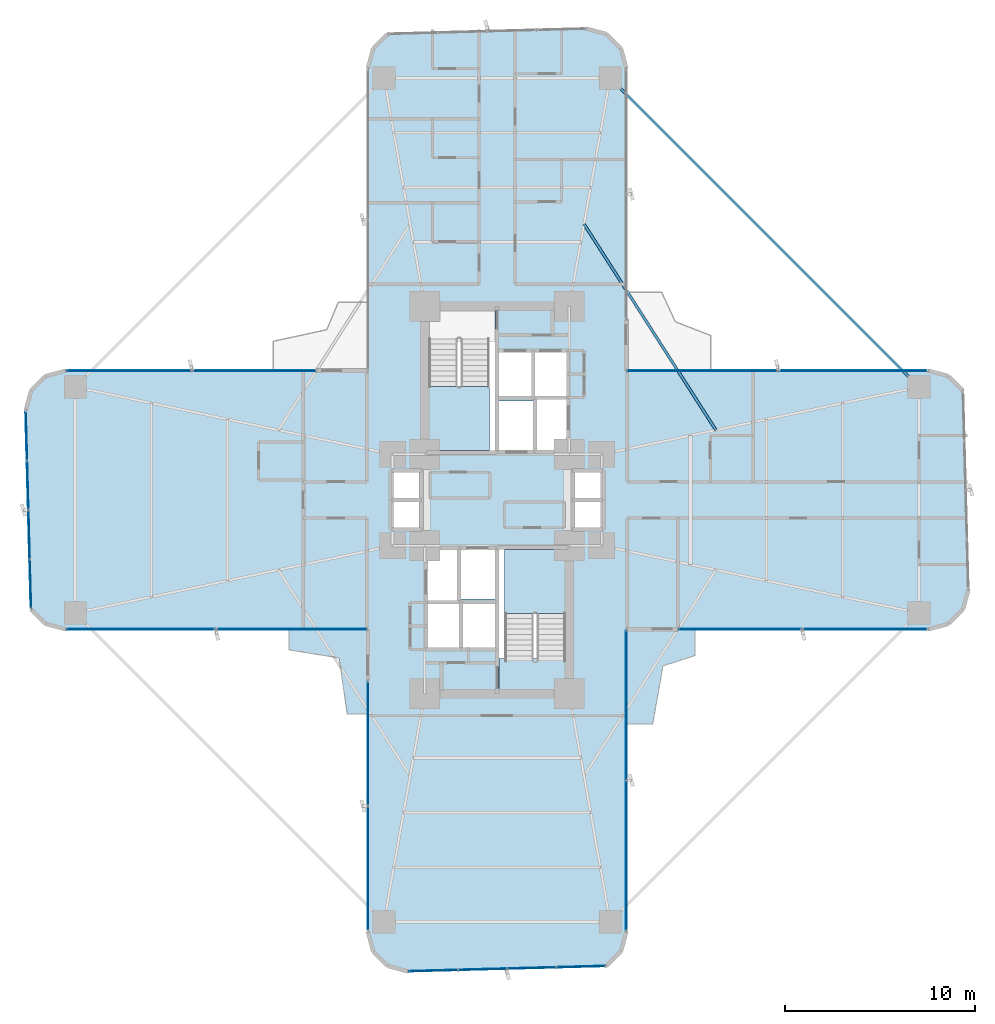
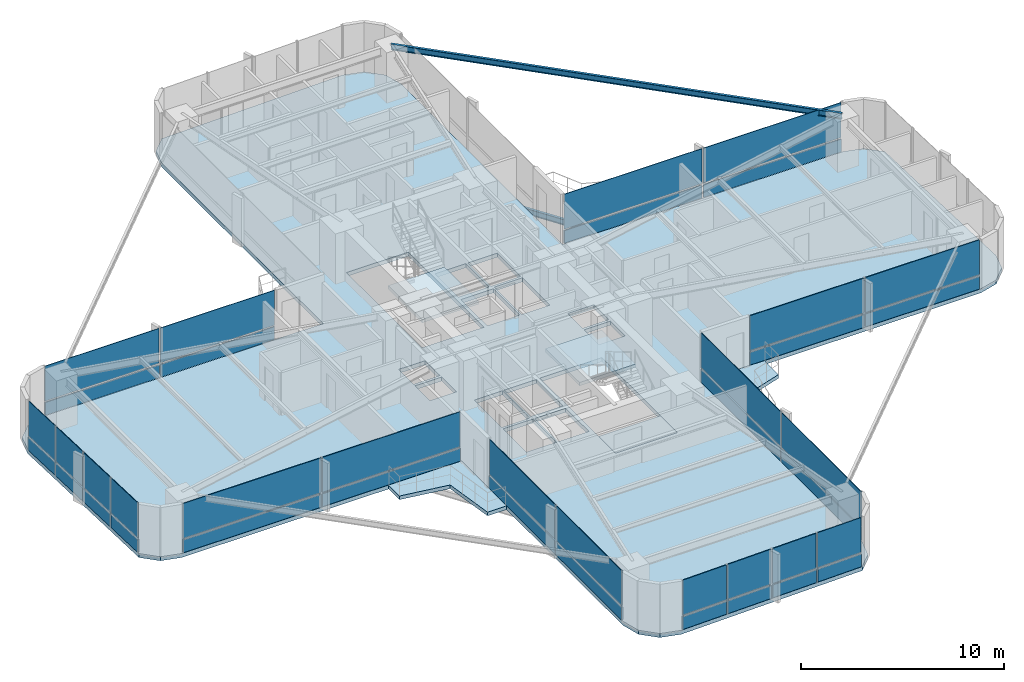
# One storey, part 20 of 25: 40 plates, 6 slabs, 2 beams, 10 elements without a shape of their own.
"""IFC4 building model written with IfcOpenShell, lengths in metres."""

from ifc_helpers import new_model, si_unit, direction, frame, origin, origin_2d, place, context, subcontext, project, spatial, polyline, rectangle, i_section, outline, extrude, source, transform, mapped, material, layer, layer_set, material_profile, profile_set, type_object, element, aggregate, save


model = new_model("IFC4")

# Units and contexts
model_context = context("Model", 3, precision=1e-05, world=origin(), true_north=direction((0.0, 1.0)))
body_context = subcontext(model_context, "Body", "Model", "MODEL_VIEW")
ifc_project = project(units=[si_unit("LENGTHUNIT", "METRE"), si_unit("AREAUNIT", "SQUARE_METRE"), si_unit("VOLUMEUNIT", "CUBIC_METRE"), si_unit("PLANEANGLEUNIT", "RADIAN"), si_unit("MASSUNIT", "GRAM", prefix="KILO")], contexts=[model_context])

# Site, building, storey
site_placement = place(None, origin())
site = spatial("IfcSite", under=ifc_project, at=site_placement, CompositionType="ELEMENT")
building_placement = place(site_placement, origin())
building = spatial("IfcBuilding", under=site, at=building_placement, Name="Sahyath Konkavel Grand Hotel", CompositionType="ELEMENT")
storey_placement = place(building_placement, frame((0.0, 0.0, 71.14990234375)))
storey = spatial("IfcBuildingStorey", under=building, at=storey_placement, Name="L19", CompositionType="ELEMENT", Elevation=71.14990234375)

# Beams
ifc_material_1 = material(Name="Steel E350", Category="steel")
ifc_material_profile_1 = material_profile(ifc_material_1, i_section(OverallWidth=0.139892578125, OverallDepth=0.35009765625, WebThickness=0.008056640625, FlangeThickness=0.01416015625, FilletRadius=0.013916015625, at=origin_2d()), Name="ISMB 350")
ifc_profile_set_1 = profile_set([ifc_material_profile_1], Name="Steel E350")
beam_type_1 = type_object("IfcBeamType", Name="BM-ISMB350", PredefinedType="BEAM", material=ifc_profile_set_1)
shared_shape_1 = source(origin(), body_context, "Body", "SweptSolid", [
    extrude(i_section(OverallWidth=0.139892578125, OverallDepth=0.35009765625, WebThickness=0.008056640625, FlangeThickness=0.01416015625, FilletRadius=0.013916015625, at=origin_2d()), origin(), (0.0, 0.0, 1.0), 22.98095703125),
])
beam_1_placement = place(storey_placement, frame((22.199951171875, 5.949951171875, 2.85498046875), z_axis=(-0.707106781187, 0.707106781187, 0.0), x_axis=(-0.707106781187, -0.707106781187, 0.0)))
element("IfcBeam", 1, at=beam_1_placement, inside=storey, type_object=beam_type_1, Name="L19 Re-Entrant Tie Beam NE", PredefinedType="BEAM", context=body_context, shape_type="MappedRepresentation", body=[
    mapped(shared_shape_1, transform((0.0, 0.0, 0.0), scale=1.0)),
])
ifc_material_profile_2 = material_profile(ifc_material_1, i_section(OverallWidth=0.139892578125, OverallDepth=0.35009765625, WebThickness=0.008056640625, FlangeThickness=0.01416015625, FilletRadius=0.013916015625, at=origin_2d()), Name="ISMB 350")
ifc_profile_set_2 = profile_set([ifc_material_profile_2], Name="Steel E350")
beam_type_2 = type_object("IfcBeamType", Name="BM-BALC-CANT", PredefinedType="BEAM", material=ifc_profile_set_2)
shared_shape_2 = source(origin(), body_context, "Body", "SweptSolid", [
    extrude(i_section(OverallWidth=0.139892578125, OverallDepth=0.35009765625, WebThickness=0.008056640625, FlangeThickness=0.01416015625, FilletRadius=0.013916015625, at=origin_2d()), origin(), (0.0, 0.0, 1.0), 12.871826171875),
])
beam_2_placement = place(storey_placement, frame((11.511962890625, 3.677978515625, -0.414794921875), z_axis=(-0.539003102535, 0.842303778608, 0.0), x_axis=(-0.842303778608, -0.539003102535, 0.0)))
element("IfcBeam", 2, at=beam_2_placement, inside=storey, type_object=beam_type_2, Name="L19 Balcony Cantilever Support Beam NE", PredefinedType="BEAM", context=body_context, shape_type="MappedRepresentation", body=[
    mapped(shared_shape_2, transform((0.0, 0.0, 0.0), scale=1.0)),
])

# Slabs
ifc_material_2 = material(Name="Concrete C40/50", Category="concrete")
ifc_layer_1 = layer(ifc_material_2, 0.239990234375)
ifc_layer_set_1 = layer_set([ifc_layer_1], Name="Concrete C40/50")
slab_type_1 = type_object("IfcSlabType", Name="SLB-240", PredefinedType="FLOOR", material=ifc_layer_set_1)
slab_1_placement = place(storey_placement, frame((0.0, 0.0, -0.239990234375)))
element("IfcSlab", 3, at=slab_1_placement, inside=storey, type_object=slab_type_1, Name="L19 Structural Floor Slab", PredefinedType="FLOOR", context=body_context, shape_type="SweptSolid", body=[
    extrude(outline(polyline([(6.800048828125, -6.800048828125), (22.699951171875, -6.800048828125), (23.75, -6.518798828125), (24.518798828125, -5.75), (24.800048828125, -4.699951171875), (24.518798828125, 5.75), (23.75, 6.518798828125), (22.699951171875, 6.800048828125), (6.800048828125, 6.800048828125), (6.800048828125, 22.699951171875), (6.518798828125, 23.75), (5.75, 24.518798828125), (4.699951171875, 24.800048828125), (-5.75, 24.518798828125), (-6.518798828125, 23.75), (-6.800048828125, 22.699951171875), (-6.800048828125, 6.800048828125), (-22.699951171875, 6.800048828125), (-23.75, 6.518798828125), (-24.518798828125, 5.75), (-24.800048828125, 4.699951171875), (-24.518798828125, -5.75), (-23.75, -6.518798828125), (-22.699951171875, -6.800048828125), (-6.800048828125, -6.800048828125), (-6.800048828125, -22.699951171875), (-6.518798828125, -23.75), (-5.75, -24.518798828125), (-4.699951171875, -24.800048828125), (5.75, -24.518798828125), (6.518798828125, -23.75), (6.800048828125, -22.699951171875), (6.800048828125, -6.800048828125)]), holes=[polyline([(-3.6201171875, 2.580078125), (-0.10009765625, 2.580078125), (-0.10009765625, 10.02001953125), (-3.6201171875, 10.02001953125), (-3.6201171875, 2.580078125)]), polyline([(0.10009765625, -10.02001953125), (3.6201171875, -10.02001953125), (3.6201171875, -2.580078125), (0.10009765625, -2.580078125), (0.10009765625, -10.02001953125)]), polyline([(0.10009765625, 2.60009765625), (1.949951171875, 2.60009765625), (1.949951171875, 5.199951171875), (0.10009765625, 5.199951171875), (0.10009765625, 2.60009765625)]), polyline([(-1.949951171875, -5.199951171875), (-0.10009765625, -5.199951171875), (-0.10009765625, -2.60009765625), (-1.949951171875, -2.60009765625), (-1.949951171875, -5.199951171875)]), polyline([(2.050048828125, 2.60009765625), (3.64990234375, 2.60009765625), (3.64990234375, 5.300048828125), (2.050048828125, 5.300048828125), (2.050048828125, 2.60009765625)]), polyline([(-3.64990234375, -5.300048828125), (-2.050048828125, -5.300048828125), (-2.050048828125, -2.60009765625), (-3.64990234375, -2.60009765625), (-3.64990234375, -5.300048828125)]), polyline([(0.10009765625, 5.449951171875), (1.85009765625, 5.449951171875), (1.85009765625, 7.75), (0.10009765625, 7.75), (0.10009765625, 5.449951171875)]), polyline([(1.949951171875, 5.449951171875), (3.64990234375, 5.449951171875), (3.64990234375, 7.75), (1.949951171875, 7.75), (1.949951171875, 5.449951171875)]), polyline([(-3.64990234375, -7.75), (-1.949951171875, -7.75), (-1.949951171875, -5.449951171875), (-3.64990234375, -5.449951171875), (-3.64990234375, -7.75)]), polyline([(-1.85009765625, -7.75), (-0.10009765625, -7.75), (-0.10009765625, -5.449951171875), (-1.85009765625, -5.449951171875), (-1.85009765625, -7.75)]), polyline([(4.050048828125, 0.080078125), (5.550048828125, 0.080078125), (5.550048828125, 1.5400390625), (4.050048828125, 1.5400390625), (4.050048828125, 0.080078125)]), polyline([(4.050048828125, -1.5400390625), (5.550048828125, -1.5400390625), (5.550048828125, -0.080078125), (4.050048828125, -0.080078125), (4.050048828125, -1.5400390625)]), polyline([(-5.550048828125, 0.080078125), (-4.050048828125, 0.080078125), (-4.050048828125, 1.5400390625), (-5.550048828125, 1.5400390625), (-5.550048828125, 0.080078125)]), polyline([(-5.550048828125, -1.5400390625), (-4.050048828125, -1.5400390625), (-4.050048828125, -0.080078125), (-5.550048828125, -0.080078125), (-5.550048828125, -1.5400390625)])]), origin(), (0.0, 0.0, 1.0), 0.239990234375),
])
ifc_layer_2 = layer(ifc_material_2, 0.219970703125)
ifc_layer_set_2 = layer_set([ifc_layer_2], Name="Concrete C40/50")
slab_type_2 = type_object("IfcSlabType", Name="SLB-BALCONY-220", PredefinedType="FLOOR", material=ifc_layer_set_2)
slab_2_placement = place(storey_placement, frame((0.0, 0.0, -0.219970703125)))
element("IfcSlab", 4, at=slab_2_placement, inside=storey, type_object=slab_type_2, Name="L19 Winter-Garden Balcony SW", PredefinedType="FLOOR", context=body_context, shape_type="SweptSolid", body=[
    extrude(outline(polyline([(-6.800048828125, -6.800048828125), (-10.947021484375, -6.800048828125), (-10.947021484375, -7.889404296875), (-8.31298828125, -8.31298828125), (-7.889404296875, -11.2529296875), (-6.800048828125, -11.2529296875), (-6.800048828125, -6.800048828125)])), origin(), (0.0, 0.0, 1.0), 0.219970703125),
])
slab_3_placement = place(storey_placement, frame((0.0, 0.0, -0.219970703125)))
element("IfcSlab", 5, at=slab_3_placement, inside=storey, type_object=slab_type_2, Name="L19 Winter-Garden Balcony SE", PredefinedType="FLOOR", context=body_context, shape_type="SweptSolid", body=[
    extrude(outline(polyline([(6.800048828125, -6.800048828125), (6.800048828125, -11.782958984375), (8.189697265625, -11.782958984375), (8.72998046875, -8.72998046875), (10.4169921875, -8.189697265625), (10.4169921875, -6.800048828125), (6.800048828125, -6.800048828125)])), origin(), (0.0, 0.0, 1.0), 0.219970703125),
])

# Stair, slab
stair_type = type_object("IfcStairType", Name="STR-ST16-335", PredefinedType="HALF_TURN_STAIR", material=ifc_material_2)
stair_1_placement = place(storey_placement, origin())
stair_1 = element("IfcStair", 6, at=stair_1_placement, inside=storey, type_object=stair_type, Name="L19 North Core Smokeproof Exit Stair ST-1", PredefinedType="HALF_TURN_STAIR")
ifc_layer_3 = layer(ifc_material_2, 0.199951171875)
ifc_layer_set_3 = layer_set([ifc_layer_3], Name="Concrete C40/50")
slab_type_3 = type_object("IfcSlabType", Name="SLB-STAIR-LND", PredefinedType="LANDING", material=ifc_layer_set_3)
slab_4_placement = place(storey_placement, frame((0.0, 0.0, 1.47509765625)))
slab_4 = element("IfcSlab", 7, at=slab_4_placement, type_object=slab_type_3, Name="ST-1 landing 1", PredefinedType="LANDING", context=body_context, shape_type="SweptSolid", body=[
    extrude(outline(polyline([(-3.60009765625, 5.9599609375), (-3.60009765625, 2.60009765625), (-0.39990234375, 2.60009765625), (-0.39990234375, 5.9599609375), (-3.60009765625, 5.9599609375)])), origin(), (0.0, 0.0, 1.0), 0.199951171875),
])
aggregate(stair_1, [slab_4])

stair_2_placement = place(storey_placement, origin())
stair_2 = element("IfcStair", 8, at=stair_2_placement, inside=storey, type_object=stair_type, Name="L19 South Core Smokeproof Exit Stair ST-2", PredefinedType="HALF_TURN_STAIR")
slab_5_placement = place(storey_placement, frame((0.0, 0.0, 1.47509765625)))
slab_5 = element("IfcSlab", 9, at=slab_5_placement, type_object=slab_type_3, Name="ST-2 landing 1", PredefinedType="LANDING", context=body_context, shape_type="SweptSolid", body=[
    extrude(outline(polyline([(3.60009765625, -5.9599609375), (3.60009765625, -2.60009765625), (0.39990234375, -2.60009765625), (0.39990234375, -5.9599609375), (3.60009765625, -5.9599609375)])), origin(), (0.0, 0.0, 1.0), 0.199951171875),
])
aggregate(stair_2, [slab_5])

# Slab
slab_6_placement = place(storey_placement, frame((0.0, 0.0, -0.199951171875)))
element("IfcSlab", 10, at=slab_6_placement, inside=storey, type_object=slab_type_3, Name="L19 Stair ST-2 Floor Landing Slab", PredefinedType="LANDING", context=body_context, shape_type="SweptSolid", body=[
    extrude(outline(polyline([(0.10009765625, -10.02001953125), (3.6201171875, -10.02001953125), (3.6201171875, -8.35009765625), (0.10009765625, -8.35009765625), (0.10009765625, -10.02001953125)])), origin(), (0.0, 0.0, 1.0), 0.199951171875),
])

# Curtain wall, plates
ifc_material_3 = material(Name="Anodised Bronze Aluminium & Low-E Glazing", Category="aluminium")
curtain_wall_type = type_object("IfcCurtainWallType", Name="CW-ZONE1", PredefinedType="NOTDEFINED", material=ifc_material_3)
curtain_wall_1_placement = place(storey_placement, origin())
curtain_wall_1 = element("IfcCurtainWall", 11, at=curtain_wall_1_placement, inside=storey, type_object=curtain_wall_type, Name="L19 Unitised Curtain Wall F7", PredefinedType="NOTDEFINED")
ifc_material_4 = material(Name="Warm Buff Sandstone Cladding", Category="masonry")
ifc_layer_4 = layer(ifc_material_4, 0.074951171875)
ifc_layer_set_4 = layer_set([ifc_layer_4], Name="Warm Buff Sandstone Cladding")
plate_type_1 = type_object("IfcPlateType", Name="PNL-SPANDREL-STONE", PredefinedType="SHEET", material=ifc_layer_set_4)
shared_shape_3 = source(origin(), body_context, "Body", "SweptSolid", [
    extrude(rectangle(XDim=7.830078125, YDim=0.074951171875, at=origin_2d()), origin(), (0.0, 0.0, 1.0), 0.77001953125),
])
plate_1_placement = place(storey_placement, frame((18.705078125, 6.800048828125, 0.0400390625), z_axis=(0.0, 0.0, 1.0), x_axis=(-1.0, 0.0, 0.0)))
plate_1 = element("IfcPlate", 12, at=plate_1_placement, type_object=plate_type_1, Name="L19 Sandstone Relief Spandrel Panel F7-0", PredefinedType="SHEET", context=body_context, shape_type="MappedRepresentation", body=[
    mapped(shared_shape_3, transform((0.0, 0.0, 0.0), scale=1.0)),
])
plate_2_placement = place(storey_placement, frame((10.794921875, 6.800048828125, 0.0400390625), z_axis=(0.0, 0.0, 1.0), x_axis=(-1.0, 0.0, 0.0)))
plate_2 = element("IfcPlate", 13, at=plate_2_placement, type_object=plate_type_1, Name="L19 Sandstone Relief Spandrel Panel F7-1", PredefinedType="SHEET", context=body_context, shape_type="MappedRepresentation", body=[
    mapped(shared_shape_3, transform((0.0, 0.0, 0.0), scale=1.0)),
])

curtain_wall_2_placement = place(storey_placement, origin())
curtain_wall_2 = element("IfcCurtainWall", 14, at=curtain_wall_2_placement, inside=storey, type_object=curtain_wall_type, Name="L19 Unitised Curtain Wall F23", PredefinedType="NOTDEFINED")
plate_3_placement = place(storey_placement, frame((-18.705078125, -6.800048828125, 0.0400390625), z_axis=(0.0, 0.0, 1.0), x_axis=(1.0, 0.0, 0.0)))
plate_3 = element("IfcPlate", 15, at=plate_3_placement, type_object=plate_type_1, Name="L19 Sandstone Relief Spandrel Panel F23-0", PredefinedType="SHEET", context=body_context, shape_type="MappedRepresentation", body=[
    mapped(shared_shape_3, transform((0.0, 0.0, 0.0), scale=1.0)),
])
plate_4_placement = place(storey_placement, frame((-10.794921875, -6.800048828125, 0.0400390625), z_axis=(0.0, 0.0, 1.0), x_axis=(1.0, 0.0, 0.0)))
plate_4 = element("IfcPlate", 16, at=plate_4_placement, type_object=plate_type_1, Name="L19 Sandstone Relief Spandrel Panel F23-1", PredefinedType="SHEET", context=body_context, shape_type="MappedRepresentation", body=[
    mapped(shared_shape_3, transform((0.0, 0.0, 0.0), scale=1.0)),
])

curtain_wall_3_placement = place(storey_placement, origin())
curtain_wall_3 = element("IfcCurtainWall", 17, at=curtain_wall_3_placement, inside=storey, type_object=curtain_wall_type, Name="L19 Unitised Curtain Wall F31", PredefinedType="NOTDEFINED")
plate_5_placement = place(storey_placement, frame((6.800048828125, -18.705078125, 0.0400390625), z_axis=(0.0, 0.0, 1.0), x_axis=(0.0, 1.0, 0.0)))
plate_5 = element("IfcPlate", 18, at=plate_5_placement, type_object=plate_type_1, Name="L19 Sandstone Relief Spandrel Panel F31-0", PredefinedType="SHEET", context=body_context, shape_type="MappedRepresentation", body=[
    mapped(shared_shape_3, transform((0.0, 0.0, 0.0), scale=1.0)),
])
plate_6_placement = place(storey_placement, frame((6.800048828125, -10.794921875, 0.0400390625), z_axis=(0.0, 0.0, 1.0), x_axis=(0.0, 1.0, 0.0)))
plate_6 = element("IfcPlate", 19, at=plate_6_placement, type_object=plate_type_1, Name="L19 Sandstone Relief Spandrel Panel F31-1", PredefinedType="SHEET", context=body_context, shape_type="MappedRepresentation", body=[
    mapped(shared_shape_3, transform((0.0, 0.0, 0.0), scale=1.0)),
])

curtain_wall_4_placement = place(storey_placement, origin())
curtain_wall_4 = element("IfcCurtainWall", 20, at=curtain_wall_4_placement, inside=storey, type_object=curtain_wall_type, Name="L19 Unitised Curtain Wall F20", PredefinedType="NOTDEFINED")
shared_shape_4 = source(origin(), body_context, "Body", "SweptSolid", [
    extrude(rectangle(XDim=2.513427734375, YDim=0.074951171875, at=origin_2d()), origin(), (0.0, 0.0, 1.0), 0.77001953125),
])
plate_7_placement = place(storey_placement, frame((-24.763916015625, 3.36376953125, 0.0400390625), z_axis=(0.0, 0.0, 1.0), x_axis=(0.026909728301, -0.999637867691, 0.0)))
plate_7 = element("IfcPlate", 21, at=plate_7_placement, type_object=plate_type_1, Name="L19 Sandstone Relief Spandrel Panel F20-0", PredefinedType="SHEET", context=body_context, shape_type="MappedRepresentation", body=[
    mapped(shared_shape_4, transform((0.0, 0.0, 0.0), scale=1.0)),
])
plate_8_placement = place(storey_placement, frame((-24.694091796875, 0.771240234375, 0.0400390625), z_axis=(0.0, 0.0, 1.0), x_axis=(0.026909728301, -0.999637867691, 0.0)))
plate_8 = element("IfcPlate", 22, at=plate_8_placement, type_object=plate_type_1, Name="L19 Sandstone Relief Spandrel Panel F20-1", PredefinedType="SHEET", context=body_context, shape_type="MappedRepresentation", body=[
    mapped(shared_shape_4, transform((0.0, 0.0, 0.0), scale=1.0)),
])
plate_9_placement = place(storey_placement, frame((-24.62451171875, -1.8212890625, 0.0400390625), z_axis=(0.0, 0.0, 1.0), x_axis=(0.026909728301, -0.999637867691, 0.0)))
plate_9 = element("IfcPlate", 23, at=plate_9_placement, type_object=plate_type_1, Name="L19 Sandstone Relief Spandrel Panel F20-2", PredefinedType="SHEET", context=body_context, shape_type="MappedRepresentation", body=[
    mapped(shared_shape_4, transform((0.0, 0.0, 0.0), scale=1.0)),
])
plate_10_placement = place(storey_placement, frame((-24.5546875, -4.413818359375, 0.0400390625), z_axis=(0.0, 0.0, 1.0), x_axis=(0.026909728301, -0.999637867691, 0.0)))
plate_10 = element("IfcPlate", 24, at=plate_10_placement, type_object=plate_type_1, Name="L19 Sandstone Relief Spandrel Panel F20-3", PredefinedType="SHEET", context=body_context, shape_type="MappedRepresentation", body=[
    mapped(shared_shape_4, transform((0.0, 0.0, 0.0), scale=1.0)),
])

curtain_wall_5_placement = place(storey_placement, origin())
curtain_wall_5 = element("IfcCurtainWall", 25, at=curtain_wall_5_placement, inside=storey, type_object=curtain_wall_type, Name="L19 Unitised Curtain Wall F28", PredefinedType="NOTDEFINED")
plate_11_placement = place(storey_placement, frame((-3.36376953125, -24.763916015625, 0.0400390625), z_axis=(0.0, 0.0, 1.0), x_axis=(0.999637867691, 0.026909728301, 0.0)))
plate_11 = element("IfcPlate", 26, at=plate_11_placement, type_object=plate_type_1, Name="L19 Sandstone Relief Spandrel Panel F28-0", PredefinedType="SHEET", context=body_context, shape_type="MappedRepresentation", body=[
    mapped(shared_shape_4, transform((0.0, 0.0, 0.0), scale=1.0)),
])
plate_12_placement = place(storey_placement, frame((-0.771240234375, -24.694091796875, 0.0400390625), z_axis=(0.0, 0.0, 1.0), x_axis=(0.999637867691, 0.026909728301, 0.0)))
plate_12 = element("IfcPlate", 27, at=plate_12_placement, type_object=plate_type_1, Name="L19 Sandstone Relief Spandrel Panel F28-1", PredefinedType="SHEET", context=body_context, shape_type="MappedRepresentation", body=[
    mapped(shared_shape_4, transform((0.0, 0.0, 0.0), scale=1.0)),
])
plate_13_placement = place(storey_placement, frame((1.8212890625, -24.62451171875, 0.0400390625), z_axis=(0.0, 0.0, 1.0), x_axis=(0.999637867691, 0.026909728301, 0.0)))
plate_13 = element("IfcPlate", 28, at=plate_13_placement, type_object=plate_type_1, Name="L19 Sandstone Relief Spandrel Panel F28-2", PredefinedType="SHEET", context=body_context, shape_type="MappedRepresentation", body=[
    mapped(shared_shape_4, transform((0.0, 0.0, 0.0), scale=1.0)),
])
plate_14_placement = place(storey_placement, frame((4.413818359375, -24.5546875, 0.0400390625), z_axis=(0.0, 0.0, 1.0), x_axis=(0.999637867691, 0.026909728301, 0.0)))
plate_14 = element("IfcPlate", 29, at=plate_14_placement, type_object=plate_type_1, Name="L19 Sandstone Relief Spandrel Panel F28-3", PredefinedType="SHEET", context=body_context, shape_type="MappedRepresentation", body=[
    mapped(shared_shape_4, transform((0.0, 0.0, 0.0), scale=1.0)),
])

curtain_wall_6_placement = place(storey_placement, origin())
curtain_wall_6 = element("IfcCurtainWall", 30, at=curtain_wall_6_placement, inside=storey, type_object=curtain_wall_type, Name="L19 Unitised Curtain Wall F0", PredefinedType="NOTDEFINED")
shared_shape_5 = source(origin(), body_context, "Body", "SweptSolid", [
    extrude(rectangle(XDim=6.47998046875, YDim=0.074951171875, at=origin_2d()), origin(), (0.0, 0.0, 1.0), 0.77001953125),
])
plate_15_placement = place(storey_placement, frame((12.820068359375, -6.800048828125, 0.0400390625), z_axis=(0.0, 0.0, 1.0), x_axis=(1.0, 0.0, 0.0)))
plate_15 = element("IfcPlate", 31, at=plate_15_placement, type_object=plate_type_1, Name="L19 Sandstone Relief Spandrel Panel F0-0", PredefinedType="SHEET", context=body_context, shape_type="MappedRepresentation", body=[
    mapped(shared_shape_5, transform((0.0, 0.0, 0.0), scale=1.0)),
])
plate_16_placement = place(storey_placement, frame((19.3798828125, -6.800048828125, 0.0400390625), z_axis=(0.0, 0.0, 1.0), x_axis=(1.0, 0.0, 0.0)))
plate_16 = element("IfcPlate", 32, at=plate_16_placement, type_object=plate_type_1, Name="L19 Sandstone Relief Spandrel Panel F0-1", PredefinedType="SHEET", context=body_context, shape_type="MappedRepresentation", body=[
    mapped(shared_shape_5, transform((0.0, 0.0, 0.0), scale=1.0)),
])

curtain_wall_7_placement = place(storey_placement, origin())
curtain_wall_7 = element("IfcCurtainWall", 33, at=curtain_wall_7_placement, inside=storey, type_object=curtain_wall_type, Name="L19 Unitised Curtain Wall F16", PredefinedType="NOTDEFINED")
plate_17_placement = place(storey_placement, frame((-12.820068359375, 6.800048828125, 0.0400390625), z_axis=(0.0, 0.0, 1.0), x_axis=(-1.0, 0.0, 0.0)))
plate_17 = element("IfcPlate", 34, at=plate_17_placement, type_object=plate_type_1, Name="L19 Sandstone Relief Spandrel Panel F16-0", PredefinedType="SHEET", context=body_context, shape_type="MappedRepresentation", body=[
    mapped(shared_shape_5, transform((0.0, 0.0, 0.0), scale=1.0)),
])
plate_18_placement = place(storey_placement, frame((-19.3798828125, 6.800048828125, 0.0400390625), z_axis=(0.0, 0.0, 1.0), x_axis=(-1.0, 0.0, 0.0)))
plate_18 = element("IfcPlate", 35, at=plate_18_placement, type_object=plate_type_1, Name="L19 Sandstone Relief Spandrel Panel F16-1", PredefinedType="SHEET", context=body_context, shape_type="MappedRepresentation", body=[
    mapped(shared_shape_5, transform((0.0, 0.0, 0.0), scale=1.0)),
])

curtain_wall_8_placement = place(storey_placement, origin())
curtain_wall_8 = element("IfcCurtainWall", 36, at=curtain_wall_8_placement, inside=storey, type_object=curtain_wall_type, Name="L19 Unitised Curtain Wall F24", PredefinedType="NOTDEFINED")
plate_19_placement = place(storey_placement, frame((-6.800048828125, -12.820068359375, 0.0400390625), z_axis=(0.0, 0.0, 1.0), x_axis=(0.0, -1.0, 0.0)))
plate_19 = element("IfcPlate", 37, at=plate_19_placement, type_object=plate_type_1, Name="L19 Sandstone Relief Spandrel Panel F24-0", PredefinedType="SHEET", context=body_context, shape_type="MappedRepresentation", body=[
    mapped(shared_shape_5, transform((0.0, 0.0, 0.0), scale=1.0)),
])
plate_20_placement = place(storey_placement, frame((-6.800048828125, -19.3798828125, 0.0400390625), z_axis=(0.0, 0.0, 1.0), x_axis=(0.0, -1.0, 0.0)))
plate_20 = element("IfcPlate", 38, at=plate_20_placement, type_object=plate_type_1, Name="L19 Sandstone Relief Spandrel Panel F24-1", PredefinedType="SHEET", context=body_context, shape_type="MappedRepresentation", body=[
    mapped(shared_shape_5, transform((0.0, 0.0, 0.0), scale=1.0)),
])

# Plate
ifc_material_5 = material(Name="Low-E Solar Control Double Glazing", Category="glass")
ifc_layer_5 = layer(ifc_material_5, 0.035888671875)
ifc_layer_set_5 = layer_set([ifc_layer_5], Name="Low-E Solar Control Double Glazing")
plate_type_2 = type_object("IfcPlateType", Name="PNL-VISION-LOWE", PredefinedType="CURTAIN_PANEL", material=ifc_layer_set_5)
shared_shape_6 = source(origin(), body_context, "Body", "SweptSolid", [
    extrude(rectangle(XDim=6.47998046875, YDim=0.035888671875, at=origin_2d()), origin(), (0.0, 0.0, 1.0), 2.10009765625),
])
plate_21_placement = place(storey_placement, frame((12.820068359375, -6.800048828125, 0.89013671875), z_axis=(0.0, 0.0, 1.0), x_axis=(1.0, 0.0, 0.0)))
plate_21 = element("IfcPlate", 39, at=plate_21_placement, type_object=plate_type_2, Name="L19 Low-E Vision Glazing Panel F0-0", PredefinedType="CURTAIN_PANEL", context=body_context, shape_type="MappedRepresentation", body=[
    mapped(shared_shape_6, transform((0.0, 0.0, 0.0), scale=1.0)),
])

plate_22_placement = place(storey_placement, frame((19.3798828125, -6.800048828125, 0.89013671875), z_axis=(0.0, 0.0, 1.0), x_axis=(1.0, 0.0, 0.0)))
plate_22 = element("IfcPlate", 40, at=plate_22_placement, type_object=plate_type_2, Name="L19 Low-E Vision Glazing Panel F0-1", PredefinedType="CURTAIN_PANEL", context=body_context, shape_type="MappedRepresentation", body=[
    mapped(shared_shape_6, transform((0.0, 0.0, 0.0), scale=1.0)),
])

aggregate(curtain_wall_6, [plate_15, plate_21, plate_16, plate_22])

plate_23_placement = place(storey_placement, frame((-12.820068359375, 6.800048828125, 0.89013671875), z_axis=(0.0, 0.0, 1.0), x_axis=(-1.0, 0.0, 0.0)))
plate_23 = element("IfcPlate", 41, at=plate_23_placement, type_object=plate_type_2, Name="L19 Low-E Vision Glazing Panel F16-0", PredefinedType="CURTAIN_PANEL", context=body_context, shape_type="MappedRepresentation", body=[
    mapped(shared_shape_6, transform((0.0, 0.0, 0.0), scale=1.0)),
])

plate_24_placement = place(storey_placement, frame((-19.3798828125, 6.800048828125, 0.89013671875), z_axis=(0.0, 0.0, 1.0), x_axis=(-1.0, 0.0, 0.0)))
plate_24 = element("IfcPlate", 42, at=plate_24_placement, type_object=plate_type_2, Name="L19 Low-E Vision Glazing Panel F16-1", PredefinedType="CURTAIN_PANEL", context=body_context, shape_type="MappedRepresentation", body=[
    mapped(shared_shape_6, transform((0.0, 0.0, 0.0), scale=1.0)),
])

aggregate(curtain_wall_7, [plate_17, plate_23, plate_18, plate_24])

plate_25_placement = place(storey_placement, frame((-6.800048828125, -12.820068359375, 0.89013671875), z_axis=(0.0, 0.0, 1.0), x_axis=(0.0, -1.0, 0.0)))
plate_25 = element("IfcPlate", 43, at=plate_25_placement, type_object=plate_type_2, Name="L19 Low-E Vision Glazing Panel F24-0", PredefinedType="CURTAIN_PANEL", context=body_context, shape_type="MappedRepresentation", body=[
    mapped(shared_shape_6, transform((0.0, 0.0, 0.0), scale=1.0)),
])

plate_26_placement = place(storey_placement, frame((-6.800048828125, -19.3798828125, 0.89013671875), z_axis=(0.0, 0.0, 1.0), x_axis=(0.0, -1.0, 0.0)))
plate_26 = element("IfcPlate", 44, at=plate_26_placement, type_object=plate_type_2, Name="L19 Low-E Vision Glazing Panel F24-1", PredefinedType="CURTAIN_PANEL", context=body_context, shape_type="MappedRepresentation", body=[
    mapped(shared_shape_6, transform((0.0, 0.0, 0.0), scale=1.0)),
])

aggregate(curtain_wall_8, [plate_19, plate_25, plate_20, plate_26])

shared_shape_7 = source(origin(), body_context, "Body", "SweptSolid", [
    extrude(rectangle(XDim=2.513427734375, YDim=0.035888671875, at=origin_2d()), origin(), (0.0, 0.0, 1.0), 2.10009765625),
])
plate_27_placement = place(storey_placement, frame((-24.763916015625, 3.36376953125, 0.89013671875), z_axis=(0.0, 0.0, 1.0), x_axis=(0.026909728301, -0.999637867691, 0.0)))
plate_27 = element("IfcPlate", 45, at=plate_27_placement, type_object=plate_type_2, Name="L19 Low-E Vision Glazing Panel F20-0", PredefinedType="CURTAIN_PANEL", context=body_context, shape_type="MappedRepresentation", body=[
    mapped(shared_shape_7, transform((0.0, 0.0, 0.0), scale=1.0)),
])

plate_28_placement = place(storey_placement, frame((-24.694091796875, 0.771240234375, 0.89013671875), z_axis=(0.0, 0.0, 1.0), x_axis=(0.026909728301, -0.999637867691, 0.0)))
plate_28 = element("IfcPlate", 46, at=plate_28_placement, type_object=plate_type_2, Name="L19 Low-E Vision Glazing Panel F20-1", PredefinedType="CURTAIN_PANEL", context=body_context, shape_type="MappedRepresentation", body=[
    mapped(shared_shape_7, transform((0.0, 0.0, 0.0), scale=1.0)),
])

plate_29_placement = place(storey_placement, frame((-24.62451171875, -1.8212890625, 0.89013671875), z_axis=(0.0, 0.0, 1.0), x_axis=(0.026909728301, -0.999637867691, 0.0)))
plate_29 = element("IfcPlate", 47, at=plate_29_placement, type_object=plate_type_2, Name="L19 Low-E Vision Glazing Panel F20-2", PredefinedType="CURTAIN_PANEL", context=body_context, shape_type="MappedRepresentation", body=[
    mapped(shared_shape_7, transform((0.0, 0.0, 0.0), scale=1.0)),
])

plate_30_placement = place(storey_placement, frame((-24.5546875, -4.413818359375, 0.89013671875), z_axis=(0.0, 0.0, 1.0), x_axis=(0.026909728301, -0.999637867691, 0.0)))
plate_30 = element("IfcPlate", 48, at=plate_30_placement, type_object=plate_type_2, Name="L19 Low-E Vision Glazing Panel F20-3", PredefinedType="CURTAIN_PANEL", context=body_context, shape_type="MappedRepresentation", body=[
    mapped(shared_shape_7, transform((0.0, 0.0, 0.0), scale=1.0)),
])

aggregate(curtain_wall_4, [plate_7, plate_27, plate_8, plate_28, plate_9, plate_29, plate_10, plate_30])

plate_31_placement = place(storey_placement, frame((-3.36376953125, -24.763916015625, 0.89013671875), z_axis=(0.0, 0.0, 1.0), x_axis=(0.999637867691, 0.026909728301, 0.0)))
plate_31 = element("IfcPlate", 49, at=plate_31_placement, type_object=plate_type_2, Name="L19 Low-E Vision Glazing Panel F28-0", PredefinedType="CURTAIN_PANEL", context=body_context, shape_type="MappedRepresentation", body=[
    mapped(shared_shape_7, transform((0.0, 0.0, 0.0), scale=1.0)),
])

plate_32_placement = place(storey_placement, frame((-0.771240234375, -24.694091796875, 0.89013671875), z_axis=(0.0, 0.0, 1.0), x_axis=(0.999637867691, 0.026909728301, 0.0)))
plate_32 = element("IfcPlate", 50, at=plate_32_placement, type_object=plate_type_2, Name="L19 Low-E Vision Glazing Panel F28-1", PredefinedType="CURTAIN_PANEL", context=body_context, shape_type="MappedRepresentation", body=[
    mapped(shared_shape_7, transform((0.0, 0.0, 0.0), scale=1.0)),
])

plate_33_placement = place(storey_placement, frame((1.8212890625, -24.62451171875, 0.89013671875), z_axis=(0.0, 0.0, 1.0), x_axis=(0.999637867691, 0.026909728301, 0.0)))
plate_33 = element("IfcPlate", 51, at=plate_33_placement, type_object=plate_type_2, Name="L19 Low-E Vision Glazing Panel F28-2", PredefinedType="CURTAIN_PANEL", context=body_context, shape_type="MappedRepresentation", body=[
    mapped(shared_shape_7, transform((0.0, 0.0, 0.0), scale=1.0)),
])

plate_34_placement = place(storey_placement, frame((4.413818359375, -24.5546875, 0.89013671875), z_axis=(0.0, 0.0, 1.0), x_axis=(0.999637867691, 0.026909728301, 0.0)))
plate_34 = element("IfcPlate", 52, at=plate_34_placement, type_object=plate_type_2, Name="L19 Low-E Vision Glazing Panel F28-3", PredefinedType="CURTAIN_PANEL", context=body_context, shape_type="MappedRepresentation", body=[
    mapped(shared_shape_7, transform((0.0, 0.0, 0.0), scale=1.0)),
])

aggregate(curtain_wall_5, [plate_11, plate_31, plate_12, plate_32, plate_13, plate_33, plate_14, plate_34])

shared_shape_8 = source(origin(), body_context, "Body", "SweptSolid", [
    extrude(rectangle(XDim=7.830078125, YDim=0.035888671875, at=origin_2d()), origin(), (0.0, 0.0, 1.0), 2.10009765625),
])
plate_35_placement = place(storey_placement, frame((18.705078125, 6.800048828125, 0.89013671875), z_axis=(0.0, 0.0, 1.0), x_axis=(-1.0, 0.0, 0.0)))
plate_35 = element("IfcPlate", 53, at=plate_35_placement, type_object=plate_type_2, Name="L19 Low-E Vision Glazing Panel F7-0", PredefinedType="CURTAIN_PANEL", context=body_context, shape_type="MappedRepresentation", body=[
    mapped(shared_shape_8, transform((0.0, 0.0, 0.0), scale=1.0)),
])

plate_36_placement = place(storey_placement, frame((10.794921875, 6.800048828125, 0.89013671875), z_axis=(0.0, 0.0, 1.0), x_axis=(-1.0, 0.0, 0.0)))
plate_36 = element("IfcPlate", 54, at=plate_36_placement, type_object=plate_type_2, Name="L19 Low-E Vision Glazing Panel F7-1", PredefinedType="CURTAIN_PANEL", context=body_context, shape_type="MappedRepresentation", body=[
    mapped(shared_shape_8, transform((0.0, 0.0, 0.0), scale=1.0)),
])

aggregate(curtain_wall_1, [plate_1, plate_35, plate_2, plate_36])

plate_37_placement = place(storey_placement, frame((-18.705078125, -6.800048828125, 0.89013671875), z_axis=(0.0, 0.0, 1.0), x_axis=(1.0, 0.0, 0.0)))
plate_37 = element("IfcPlate", 55, at=plate_37_placement, type_object=plate_type_2, Name="L19 Low-E Vision Glazing Panel F23-0", PredefinedType="CURTAIN_PANEL", context=body_context, shape_type="MappedRepresentation", body=[
    mapped(shared_shape_8, transform((0.0, 0.0, 0.0), scale=1.0)),
])

plate_38_placement = place(storey_placement, frame((-10.794921875, -6.800048828125, 0.89013671875), z_axis=(0.0, 0.0, 1.0), x_axis=(1.0, 0.0, 0.0)))
plate_38 = element("IfcPlate", 56, at=plate_38_placement, type_object=plate_type_2, Name="L19 Low-E Vision Glazing Panel F23-1", PredefinedType="CURTAIN_PANEL", context=body_context, shape_type="MappedRepresentation", body=[
    mapped(shared_shape_8, transform((0.0, 0.0, 0.0), scale=1.0)),
])

aggregate(curtain_wall_2, [plate_3, plate_37, plate_4, plate_38])

plate_39_placement = place(storey_placement, frame((6.800048828125, -18.705078125, 0.89013671875), z_axis=(0.0, 0.0, 1.0), x_axis=(0.0, 1.0, 0.0)))
plate_39 = element("IfcPlate", 57, at=plate_39_placement, type_object=plate_type_2, Name="L19 Low-E Vision Glazing Panel F31-0", PredefinedType="CURTAIN_PANEL", context=body_context, shape_type="MappedRepresentation", body=[
    mapped(shared_shape_8, transform((0.0, 0.0, 0.0), scale=1.0)),
])

plate_40_placement = place(storey_placement, frame((6.800048828125, -10.794921875, 0.89013671875), z_axis=(0.0, 0.0, 1.0), x_axis=(0.0, 1.0, 0.0)))
plate_40 = element("IfcPlate", 58, at=plate_40_placement, type_object=plate_type_2, Name="L19 Low-E Vision Glazing Panel F31-1", PredefinedType="CURTAIN_PANEL", context=body_context, shape_type="MappedRepresentation", body=[
    mapped(shared_shape_8, transform((0.0, 0.0, 0.0), scale=1.0)),
])

aggregate(curtain_wall_3, [plate_5, plate_39, plate_6, plate_40])

save(model, "model.ifc")
